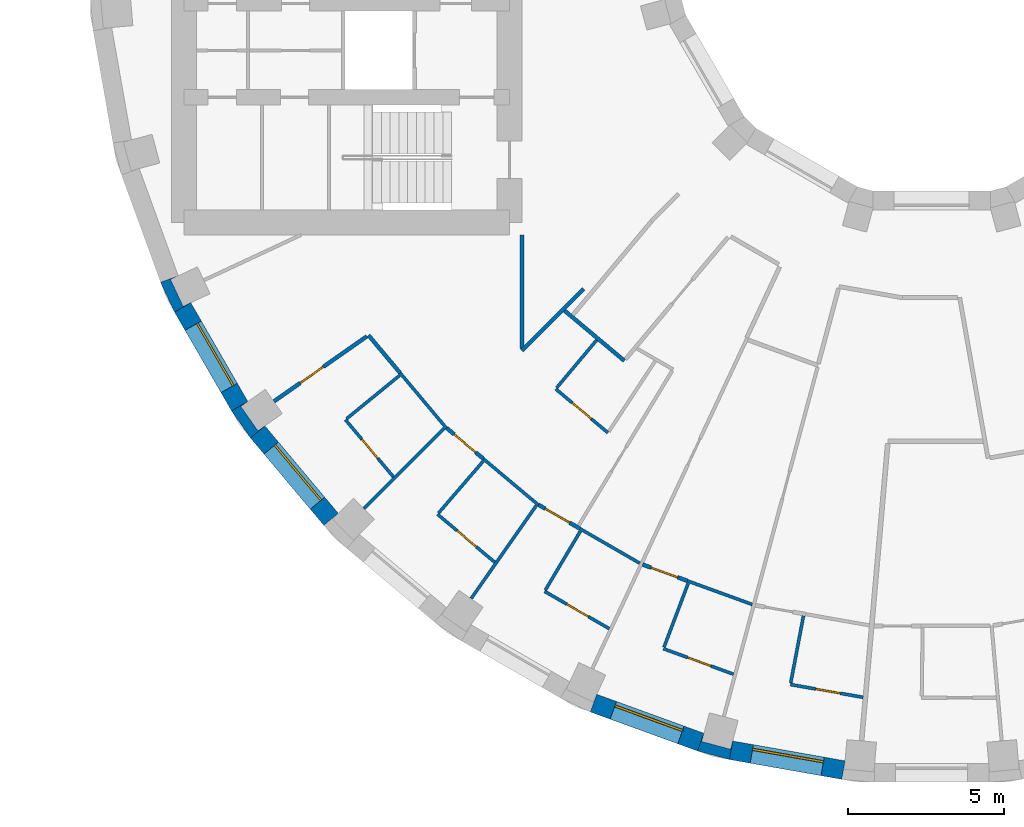
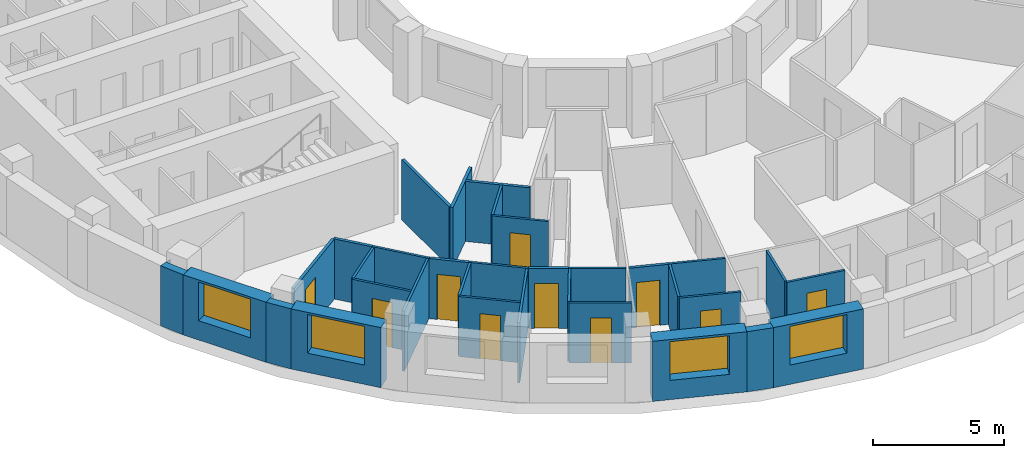
# One storey, part 4 of 14: 33 walls, 10 doors, 4 windows, 14 openings.
"""IFC4 building model written with IfcOpenShell, lengths in metres."""

from ifc_helpers import new_model, si_unit, direction, frame, frame_2d, origin, place, context, subcontext, project, spatial, polyline, rectangle, outline, extrude, material, layer, layer_set, type_object, element, fill, save


model = new_model("IFC4")

# Units and contexts
model_context = context("Model", 3, precision=1e-05, world=origin(), true_north=direction((0.0, 1.0)))
body_context = subcontext(model_context, "Body", "Model", "MODEL_VIEW")
ifc_project = project(units=[si_unit("LENGTHUNIT", "METRE"), si_unit("AREAUNIT", "SQUARE_METRE"), si_unit("VOLUMEUNIT", "CUBIC_METRE"), si_unit("PLANEANGLEUNIT", "RADIAN"), si_unit("MASSUNIT", "GRAM", prefix="KILO")], contexts=[model_context])

# Site, building, storey
site_placement = place(None, origin())
site = spatial("IfcSite", under=ifc_project, at=site_placement, CompositionType="ELEMENT")
building_placement = place(site_placement, origin())
building = spatial("IfcBuilding", under=site, at=building_placement, Name="Saqina Gate Tower", CompositionType="ELEMENT")
storey_placement = place(building_placement, frame((0.0, 0.0, 101.800048828125)))
storey = spatial("IfcBuildingStorey", under=building, at=storey_placement, Name="L28", CompositionType="ELEMENT", Elevation=101.800048828125)

# Walls
ifc_material_1 = material(Name="Brick masonry (buff)", Category="masonry")
wall_type_1 = type_object("IfcWallType", Name="BRICK PIER COPING BUFF", PredefinedType="SOLIDWALL", material=ifc_material_1)
wall_1_placement = place(storey_placement, origin())
element("IfcWall", 1, at=wall_1_placement, inside=storey, type_object=wall_type_1, Name="Pier cap L28 column 21", PredefinedType="SOLIDWALL", context=body_context, shape_type="SweptSolid", body=[
    extrude(outline(polyline([(-24.6513671875, -10.913330078125), (-24.205810546875, -11.869140625), (-23.68603515625, -11.569091796875), (-23.9296875, -11.6826171875), (-24.331298828125, -10.82177734375), (-24.08740234375, -10.7080078125), (-24.6513671875, -10.913330078125)])), origin(), (0.0, 0.0, 1.0), 2.800048828125),
])
wall_2_placement = place(storey_placement, origin())
element("IfcWall", 2, at=wall_2_placement, inside=storey, type_object=wall_type_1, Name="Pier cap L28 column 22", PredefinedType="SOLIDWALL", context=body_context, shape_type="SweptSolid", body=[
    extrude(outline(polyline([(-21.77685546875, -15.89208984375), (-21.317138671875, -15.50634765625), (-21.53759765625, -15.66064453125), (-22.08251953125, -14.88232421875), (-21.862060546875, -14.728271484375), (-22.3818359375, -15.0283203125), (-21.77685546875, -15.89208984375)])), origin(), (0.0, 0.0, 1.0), 2.800048828125),
])
wall_3_placement = place(storey_placement, origin())
element("IfcWall", 3, at=wall_3_placement, inside=storey, type_object=wall_type_1, Name="Pier cap L28 column 26", PredefinedType="SOLIDWALL", context=body_context, shape_type="SweptSolid", body=[
    extrude(outline(polyline([(-7.485595703125, -25.89892578125), (-6.466796875, -26.171875), (-6.36279296875, -25.5810546875), (-6.43212890625, -25.8408203125), (-7.349853515625, -25.5947265625), (-7.2802734375, -25.335205078125), (-7.485595703125, -25.89892578125)])), origin(), (0.0, 0.0, 1.0), 2.800048828125),
])

# Wall, opening, window
ifc_material_2 = material(Name="Brick masonry (buff)", Category="masonry")
ifc_layer_1 = layer(ifc_material_2, 0.60009765625)
ifc_layer_set_1 = layer_set([ifc_layer_1], Name="FW-BRICK-BUFF")
wall_type_2 = type_object("IfcWallType", Name="FW-BRICK-BUFF", PredefinedType="SOLIDWALL", material=ifc_layer_set_1)
wall_4_placement = place(storey_placement, frame((-23.94580078125, -11.718994140625, 0.0), z_axis=(0.0, 0.0, 1.0), x_axis=(0.499954196102, -0.866051847062, 0.0)))
wall_4 = element("IfcWall", 4, at=wall_4_placement, inside=storey, type_object=wall_type_2, Name="Facade wall L28 facet 21", PredefinedType="SOLIDWALL", context=body_context, shape_type="SweptSolid", body=[
    extrude(rectangle(XDim=3.647705078125, YDim=0.60009765625, at=frame_2d((1.82373046875, 0.0))), origin(), (0.0, 0.0, 1.0), 2.800048828125),
])
opening_1_placement = place(wall_4_placement, frame((0.673828125, 0.0, 0.89990234375)))
opening_1 = element("IfcOpeningElement", 5, at=opening_1_placement, cuts=wall_4, Name="Opening G08-W10", PredefinedType="OPENING", context=body_context, shape_type="SweptSolid", body=[
    extrude(rectangle(XDim=2.300048828125, YDim=1.800048828125, at=frame_2d((1.14990234375, 0.89990234375))), frame((0.0, 0.31201171875, 0.0), z_axis=(0.0, -1.0, 0.0), x_axis=(1.0, 0.0, 0.0)), (0.0, 0.0, 1.0), 0.6240234375),
])
ifc_material_3 = material(Name="Aluminium glazing", Category="aluminium")
window_type = type_object("IfcWindowType", Name="WN-B", PartitioningType="SINGLE_PANEL", PredefinedType="WINDOW", material=ifc_material_3)
window_1_placement = place(opening_1_placement, origin())
window_1 = element("IfcWindow", 6, at=window_1_placement, inside=storey, type_object=window_type, Name="Window L28 facet 21", OverallHeight=1.800048828125, OverallWidth=2.300048828125, PartitioningType="SINGLE_PANEL", PredefinedType="WINDOW", context=body_context, shape_type="SweptSolid", body=[
    extrude(rectangle(XDim=2.300048828125, YDim=1.800048828125, at=frame_2d((1.14990234375, 0.89990234375))), frame((0.0, 0.179931640625, 0.0), z_axis=(0.0, -1.0, 0.0), x_axis=(1.0, 0.0, 0.0)), (0.0, 0.0, 1.0), 0.06005859375),
])
fill(opening_1, window_1)

wall_5_placement = place(storey_placement, frame((-21.547119140625, -15.69921875, 0.0), z_axis=(0.0, 0.0, 1.0), x_axis=(0.642774476932, -0.766055462616, 0.0)))
wall_5 = element("IfcWall", 7, at=wall_5_placement, inside=storey, type_object=wall_type_2, Name="Facade wall L28 facet 22", PredefinedType="SOLIDWALL", context=body_context, shape_type="SweptSolid", body=[
    extrude(rectangle(XDim=3.647705078125, YDim=0.60009765625, at=frame_2d((1.82373046875, 0.0))), origin(), (0.0, 0.0, 1.0), 2.800048828125),
])
opening_2_placement = place(wall_5_placement, frame((0.673828125, 0.0, 0.89990234375)))
opening_2 = element("IfcOpeningElement", 8, at=opening_2_placement, cuts=wall_5, Name="Opening G08-W11", PredefinedType="OPENING", context=body_context, shape_type="SweptSolid", body=[
    extrude(rectangle(XDim=2.300048828125, YDim=1.800048828125, at=frame_2d((1.14990234375, 0.89990234375))), frame((0.0, 0.31201171875, 0.0), z_axis=(0.0, -1.0, 0.0), x_axis=(1.0, 0.0, 0.0)), (0.0, 0.0, 1.0), 0.6240234375),
])
window_2_placement = place(opening_2_placement, origin())
window_2 = element("IfcWindow", 9, at=window_2_placement, inside=storey, type_object=window_type, Name="Window L28 facet 22", OverallHeight=1.800048828125, OverallWidth=2.300048828125, PartitioningType="SINGLE_PANEL", PredefinedType="WINDOW", context=body_context, shape_type="SweptSolid", body=[
    extrude(rectangle(XDim=2.300048828125, YDim=1.800048828125, at=frame_2d((1.14990234375, 0.89990234375))), frame((0.0, 0.179931640625, 0.0), z_axis=(0.0, -1.0, 0.0), x_axis=(1.0, 0.0, 0.0)), (0.0, 0.0, 1.0), 0.06005859375),
])
fill(opening_2, window_2)

wall_6_placement = place(storey_placement, frame((-10.810791015625, -24.369384765625, 0.0), z_axis=(0.0, 0.0, 1.0), x_axis=(0.939703505393, -0.341990236633, 0.0)))
wall_6 = element("IfcWall", 10, at=wall_6_placement, inside=storey, type_object=wall_type_2, Name="Facade wall L28 facet 25", PredefinedType="SOLIDWALL", context=body_context, shape_type="SweptSolid", body=[
    extrude(rectangle(XDim=3.64794921875, YDim=0.60009765625, at=frame_2d((1.823974609375, 0.0))), origin(), (0.0, 0.0, 1.0), 2.800048828125),
])
opening_3_placement = place(wall_6_placement, frame((0.673828125, 0.0, 0.89990234375)))
opening_3 = element("IfcOpeningElement", 11, at=opening_3_placement, cuts=wall_6, Name="Opening G08-W14", PredefinedType="OPENING", context=body_context, shape_type="SweptSolid", body=[
    extrude(rectangle(XDim=2.300048828125, YDim=1.800048828125, at=frame_2d((1.14990234375, 0.89990234375))), frame((0.0, 0.31201171875, 0.0), z_axis=(0.0, -1.0, 0.0), x_axis=(1.0, 0.0, 0.0)), (0.0, 0.0, 1.0), 0.6240234375),
])
window_3_placement = place(opening_3_placement, origin())
window_3 = element("IfcWindow", 12, at=window_3_placement, inside=storey, type_object=window_type, Name="Window L28 facet 25", OverallHeight=1.800048828125, OverallWidth=2.300048828125, PartitioningType="SINGLE_PANEL", PredefinedType="WINDOW", context=body_context, shape_type="SweptSolid", body=[
    extrude(rectangle(XDim=2.300048828125, YDim=1.800048828125, at=frame_2d((1.14990234375, 0.89990234375))), frame((0.0, 0.179931640625, 0.0), z_axis=(0.0, -1.0, 0.0), x_axis=(1.0, 0.0, 0.0)), (0.0, 0.0, 1.0), 0.06005859375),
])
fill(opening_3, window_3)

wall_7_placement = place(storey_placement, frame((-6.414794921875, -25.87646484375, 0.0), z_axis=(0.0, 0.0, 1.0), x_axis=(0.984803764455, -0.173670796382, 0.0)))
wall_7 = element("IfcWall", 13, at=wall_7_placement, inside=storey, type_object=wall_type_2, Name="Facade wall L28 facet 26", PredefinedType="SOLIDWALL", context=body_context, shape_type="SweptSolid", body=[
    extrude(rectangle(XDim=3.64794921875, YDim=0.60009765625, at=frame_2d((1.823974609375, 0.0))), origin(), (0.0, 0.0, 1.0), 2.800048828125),
])
opening_4_placement = place(wall_7_placement, frame((0.673828125, 0.0, 0.89990234375)))
opening_4 = element("IfcOpeningElement", 14, at=opening_4_placement, cuts=wall_7, Name="Opening G08-W15", PredefinedType="OPENING", context=body_context, shape_type="SweptSolid", body=[
    extrude(rectangle(XDim=2.300048828125, YDim=1.800048828125, at=frame_2d((1.14990234375, 0.89990234375))), frame((0.0, 0.31201171875, 0.0), z_axis=(0.0, -1.0, 0.0), x_axis=(1.0, 0.0, 0.0)), (0.0, 0.0, 1.0), 0.6240234375),
])
window_4_placement = place(opening_4_placement, origin())
window_4 = element("IfcWindow", 15, at=window_4_placement, inside=storey, type_object=window_type, Name="Window L28 facet 26", OverallHeight=1.800048828125, OverallWidth=2.300048828125, PartitioningType="SINGLE_PANEL", PredefinedType="WINDOW", context=body_context, shape_type="SweptSolid", body=[
    extrude(rectangle(XDim=2.300048828125, YDim=1.800048828125, at=frame_2d((1.14990234375, 0.89990234375))), frame((0.0, 0.179931640625, 0.0), z_axis=(0.0, -1.0, 0.0), x_axis=(1.0, 0.0, 0.0)), (0.0, 0.0, 1.0), 0.06005859375),
])
fill(opening_4, window_4)

# Wall, opening, door
ifc_material_4 = material(Name="Gypsum board on steel studs, 100 mm", Category="steel")
ifc_layer_2 = layer(ifc_material_4, 0.10009765625)
ifc_layer_set_2 = layer_set([ifc_layer_2], Name="PARTITION 100")
wall_type_3 = type_object("IfcWallType", Name="PARTITION 100", PredefinedType="PARTITIONING", material=ifc_layer_set_2)
wall_8_placement = place(storey_placement, frame((-18.741943359375, -15.30908203125, 0.0), z_axis=(0.0, 0.0, 1.0), x_axis=(0.643057723818, -0.765817709274, 0.0)))
wall_8 = element("IfcWall", 16, at=wall_8_placement, inside=storey, type_object=wall_type_3, Name="PARTITION PW3-18", PredefinedType="PARTITIONING", context=body_context, shape_type="SweptSolid", body=[
    extrude(rectangle(XDim=2.386474609375, YDim=0.10009765625, at=frame_2d((1.193359375, 0.0))), origin(), (0.0, 0.0, 1.0), 2.800048828125),
])
opening_5_placement = place(wall_8_placement, frame((0.818359375, 0.0, 0.0)))
opening_5 = element("IfcOpeningElement", 17, at=opening_5_placement, cuts=wall_8, Name="Opening G08-D23", PredefinedType="OPENING", context=body_context, shape_type="SweptSolid", body=[
    extrude(rectangle(XDim=0.800048828125, YDim=2.10009765625, at=frame_2d((0.39990234375, 1.050048828125))), frame((0.0, 0.06201171875, 0.0), z_axis=(0.0, -1.0, 0.0), x_axis=(1.0, 0.0, 0.0)), (0.0, 0.0, 1.0), 0.1240234375),
])
ifc_material_5 = material(Name="Timber door leaf, 800 mm", Category="wood")
door_type_1 = type_object("IfcDoorType", Name="DOOR 800 TIMBER", OperationType="SINGLE_SWING_LEFT", PredefinedType="DOOR", material=ifc_material_5)
door_1_placement = place(opening_5_placement, frame((0.800048828125, 0.0, 0.0), z_axis=(0.0, 0.0, 1.0), x_axis=(-1.0, 0.0, 0.0)))
door_1 = element("IfcDoor", 18, at=door_1_placement, inside=storey, type_object=door_type_1, Name="DOOR G08-D23", OperationType="SINGLE_SWING_LEFT", OverallHeight=2.10009765625, OverallWidth=0.800048828125, PredefinedType="DOOR", context=body_context, shape_type="SweptSolid", body=[
    extrude(rectangle(XDim=0.800048828125, YDim=2.10009765625, at=frame_2d((0.39990234375, 1.050048828125))), frame((0.0, 0.02490234375, 0.0), z_axis=(0.0, -1.0, 0.0), x_axis=(1.0, 0.0, 0.0)), (0.0, 0.0, 1.0), 0.050048828125),
])
fill(opening_5, door_1)

# Wall
wall_9_placement = place(storey_placement, frame((-16.9921875, -13.815673828125, 0.0), z_axis=(0.0, 0.0, 1.0), x_axis=(0.64271045889, -0.766109173704, 0.0)))
element("IfcWall", 19, at=wall_9_placement, inside=storey, type_object=wall_type_3, Name="PARTITION PW3-19", PredefinedType="PARTITIONING", context=body_context, shape_type="SweptSolid", body=[
    extrude(rectangle(XDim=2.306884765625, YDim=0.10009765625, at=frame_2d((1.1533203125, 0.0))), origin(), (0.0, 0.0, 1.0), 2.800048828125),
])

# Wall, opening, door
wall_10_placement = place(storey_placement, frame((-15.798095703125, -18.3310546875, 0.0), z_axis=(0.0, 0.0, 1.0), x_axis=(0.766061519328, -0.642767258504, 0.0)))
wall_10 = element("IfcWall", 20, at=wall_10_placement, inside=storey, type_object=wall_type_3, Name="PARTITION PW3-23", PredefinedType="PARTITIONING", context=body_context, shape_type="SweptSolid", body=[
    extrude(rectangle(XDim=2.385986328125, YDim=0.10009765625, at=frame_2d((1.19287109375, 0.0))), origin(), (0.0, 0.0, 1.0), 2.800048828125),
])
opening_6_placement = place(wall_10_placement, frame((0.818115234375, 0.0, 0.0)))
opening_6 = element("IfcOpeningElement", 21, at=opening_6_placement, cuts=wall_10, Name="Opening G08-D25", PredefinedType="OPENING", context=body_context, shape_type="SweptSolid", body=[
    extrude(rectangle(XDim=0.800048828125, YDim=2.10009765625, at=frame_2d((0.39990234375, 1.050048828125))), frame((0.0, 0.06201171875, 0.0), z_axis=(0.0, -1.0, 0.0), x_axis=(1.0, 0.0, 0.0)), (0.0, 0.0, 1.0), 0.1240234375),
])
door_2_placement = place(opening_6_placement, frame((0.800048828125, 0.0, 0.0), z_axis=(0.0, 0.0, 1.0), x_axis=(-1.0, 0.0, 0.0)))
door_2 = element("IfcDoor", 22, at=door_2_placement, inside=storey, type_object=door_type_1, Name="DOOR G08-D25", OperationType="SINGLE_SWING_LEFT", OverallHeight=2.10009765625, OverallWidth=0.800048828125, PredefinedType="DOOR", context=body_context, shape_type="SweptSolid", body=[
    extrude(rectangle(XDim=0.800048828125, YDim=2.10009765625, at=frame_2d((0.39990234375, 1.050048828125))), frame((0.0, 0.02490234375, 0.0), z_axis=(0.0, -1.0, 0.0), x_axis=(1.0, 0.0, 0.0)), (0.0, 0.0, 1.0), 0.050048828125),
])
fill(opening_6, door_2)

# Wall
wall_11_placement = place(storey_placement, frame((-14.335205078125, -16.555908203125, 0.0), z_axis=(0.0, 0.0, 1.0), x_axis=(0.765890459519, -0.642971075568, 0.0)))
element("IfcWall", 23, at=wall_11_placement, inside=storey, type_object=wall_type_3, Name="PARTITION PW3-24", PredefinedType="PARTITIONING", context=body_context, shape_type="SweptSolid", body=[
    extrude(rectangle(XDim=2.305908203125, YDim=0.10009765625, at=frame_2d((1.15283203125, 0.0))), origin(), (0.0, 0.0, 1.0), 2.800048828125),
])

# Wall, opening, door
wall_12_placement = place(storey_placement, frame((-12.01806640625, -14.32666015625, 0.0), z_axis=(0.0, 0.0, 1.0), x_axis=(0.76605991383, -0.642769171961, 0.0)))
wall_12 = element("IfcWall", 24, at=wall_12_placement, inside=storey, type_object=wall_type_3, Name="PARTITION PW3-25", PredefinedType="PARTITIONING", context=body_context, shape_type="SweptSolid", body=[
    extrude(rectangle(XDim=2.18017578125, YDim=0.10009765625, at=frame_2d((1.090087890625, 0.0))), origin(), (0.0, 0.0, 1.0), 2.800048828125),
])
opening_7_placement = place(wall_12_placement, frame((0.689453125, 0.0, 0.0)))
opening_7 = element("IfcOpeningElement", 25, at=opening_7_placement, cuts=wall_12, Name="Opening G08-D26", PredefinedType="OPENING", context=body_context, shape_type="SweptSolid", body=[
    extrude(rectangle(XDim=0.800048828125, YDim=2.10009765625, at=frame_2d((0.39990234375, 1.050048828125))), frame((0.0, 0.06201171875, 0.0), z_axis=(0.0, -1.0, 0.0), x_axis=(1.0, 0.0, 0.0)), (0.0, 0.0, 1.0), 0.1240234375),
])
door_3_placement = place(opening_7_placement, frame((0.800048828125, 0.0, 0.0), z_axis=(0.0, 0.0, 1.0), x_axis=(-1.0, 0.0, 0.0)))
door_3 = element("IfcDoor", 26, at=door_3_placement, inside=storey, type_object=door_type_1, Name="DOOR G08-D26", OperationType="SINGLE_SWING_RIGHT", OverallHeight=2.10009765625, OverallWidth=0.800048828125, PredefinedType="DOOR", context=body_context, shape_type="SweptSolid", body=[
    extrude(rectangle(XDim=0.800048828125, YDim=2.10009765625, at=frame_2d((0.39990234375, 1.050048828125))), frame((0.0, 0.02490234375, 0.0), z_axis=(0.0, -1.0, 0.0), x_axis=(1.0, 0.0, 0.0)), (0.0, 0.0, 1.0), 0.050048828125),
])
fill(opening_7, door_3)

wall_13_placement = place(storey_placement, frame((-12.375, -20.7958984375, 0.0), z_axis=(0.0, 0.0, 1.0), x_axis=(0.866037365989, -0.499979280282, 0.0)))
wall_13 = element("IfcWall", 27, at=wall_13_placement, inside=storey, type_object=wall_type_3, Name="PARTITION PW3-28", PredefinedType="PARTITIONING", context=body_context, shape_type="SweptSolid", body=[
    extrude(rectangle(XDim=2.38623046875, YDim=0.10009765625, at=frame_2d((1.193115234375, 0.0))), origin(), (0.0, 0.0, 1.0), 2.800048828125),
])
opening_8_placement = place(wall_13_placement, frame((0.818115234375, 0.0, 0.0)))
opening_8 = element("IfcOpeningElement", 28, at=opening_8_placement, cuts=wall_13, Name="Opening G08-D30", PredefinedType="OPENING", context=body_context, shape_type="SweptSolid", body=[
    extrude(rectangle(XDim=0.800048828125, YDim=2.10009765625, at=frame_2d((0.39990234375, 1.050048828125))), frame((0.0, 0.06201171875, 0.0), z_axis=(0.0, -1.0, 0.0), x_axis=(1.0, 0.0, 0.0)), (0.0, 0.0, 1.0), 0.1240234375),
])
door_4_placement = place(opening_8_placement, frame((0.800048828125, 0.0, 0.0), z_axis=(0.0, 0.0, 1.0), x_axis=(-1.0, 0.0, 0.0)))
door_4 = element("IfcDoor", 29, at=door_4_placement, inside=storey, type_object=door_type_1, Name="DOOR G08-D30", OperationType="SINGLE_SWING_LEFT", OverallHeight=2.10009765625, OverallWidth=0.800048828125, PredefinedType="DOOR", context=body_context, shape_type="SweptSolid", body=[
    extrude(rectangle(XDim=0.800048828125, YDim=2.10009765625, at=frame_2d((0.39990234375, 1.050048828125))), frame((0.0, 0.02490234375, 0.0), z_axis=(0.0, -1.0, 0.0), x_axis=(1.0, 0.0, 0.0)), (0.0, 0.0, 1.0), 0.050048828125),
])
fill(opening_8, door_4)

# Wall
wall_14_placement = place(storey_placement, frame((-11.2421875, -18.7939453125, 0.0), z_axis=(0.0, 0.0, 1.0), x_axis=(0.866039875853, -0.499974932805, 0.0)))
element("IfcWall", 30, at=wall_14_placement, inside=storey, type_object=wall_type_3, Name="PARTITION PW3-29", PredefinedType="PARTITIONING", context=body_context, shape_type="SweptSolid", body=[
    extrude(rectangle(XDim=2.2041015625, YDim=0.10009765625, at=frame_2d((1.10205078125, 0.0))), origin(), (0.0, 0.0, 1.0), 2.800048828125),
])

# Wall, opening, door
wall_15_placement = place(storey_placement, frame((-8.575927734375, -22.62890625, 0.0), z_axis=(0.0, 0.0, 1.0), x_axis=(0.939703758344, -0.341989541586, 0.0)))
wall_15 = element("IfcWall", 31, at=wall_15_placement, inside=storey, type_object=wall_type_3, Name="PARTITION PW3-33", PredefinedType="PARTITIONING", context=body_context, shape_type="SweptSolid", body=[
    extrude(rectangle(XDim=2.3857421875, YDim=0.10009765625, at=frame_2d((1.19287109375, 0.0))), origin(), (0.0, 0.0, 1.0), 2.800048828125),
])
opening_9_placement = place(wall_15_placement, frame((0.81787109375, 0.0, 0.0)))
opening_9 = element("IfcOpeningElement", 32, at=opening_9_placement, cuts=wall_15, Name="Opening G08-D33", PredefinedType="OPENING", context=body_context, shape_type="SweptSolid", body=[
    extrude(rectangle(XDim=0.800048828125, YDim=2.10009765625, at=frame_2d((0.39990234375, 1.050048828125))), frame((0.0, 0.06201171875, 0.0), z_axis=(0.0, -1.0, 0.0), x_axis=(1.0, 0.0, 0.0)), (0.0, 0.0, 1.0), 0.1240234375),
])
door_5_placement = place(opening_9_placement, frame((0.800048828125, 0.0, 0.0), z_axis=(0.0, 0.0, 1.0), x_axis=(-1.0, 0.0, 0.0)))
door_5 = element("IfcDoor", 33, at=door_5_placement, inside=storey, type_object=door_type_1, Name="DOOR G08-D33", OperationType="SINGLE_SWING_LEFT", OverallHeight=2.10009765625, OverallWidth=0.800048828125, PredefinedType="DOOR", context=body_context, shape_type="SweptSolid", body=[
    extrude(rectangle(XDim=0.800048828125, YDim=2.10009765625, at=frame_2d((0.39990234375, 1.050048828125))), frame((0.0, 0.02490234375, 0.0), z_axis=(0.0, -1.0, 0.0), x_axis=(1.0, 0.0, 0.0)), (0.0, 0.0, 1.0), 0.050048828125),
])
fill(opening_9, door_5)

# Wall
wall_16_placement = place(storey_placement, frame((-7.80810546875, -20.4609375, 0.0), z_axis=(0.0, 0.0, 1.0), x_axis=(0.939728749343, -0.341920864613, 0.0)))
element("IfcWall", 34, at=wall_16_placement, inside=storey, type_object=wall_type_3, Name="PARTITION PW3-34", PredefinedType="PARTITIONING", context=body_context, shape_type="SweptSolid", body=[
    extrude(rectangle(XDim=2.204833984375, YDim=0.10009765625, at=frame_2d((1.1025390625, 0.0))), origin(), (0.0, 0.0, 1.0), 2.800048828125),
])

# Wall, opening, door
wall_17_placement = place(storey_placement, frame((-4.51611328125, -23.77392578125, 0.0), z_axis=(0.0, 0.0, 1.0), x_axis=(0.984810614942, -0.173631946077, 0.0)))
wall_17 = element("IfcWall", 35, at=wall_17_placement, inside=storey, type_object=wall_type_3, Name="PARTITION PW3-37", PredefinedType="PARTITIONING", context=body_context, shape_type="SweptSolid", body=[
    extrude(rectangle(XDim=2.36083984375, YDim=0.10009765625, at=frame_2d((1.180419921875, 0.0))), origin(), (0.0, 0.0, 1.0), 2.800048828125),
])
opening_10_placement = place(wall_17_placement, frame((0.818115234375, 0.0, 0.0)))
opening_10 = element("IfcOpeningElement", 36, at=opening_10_placement, cuts=wall_17, Name="Opening G08-D36", PredefinedType="OPENING", context=body_context, shape_type="SweptSolid", body=[
    extrude(rectangle(XDim=0.800048828125, YDim=2.10009765625, at=frame_2d((0.39990234375, 1.050048828125))), frame((0.0, 0.06201171875, 0.0), z_axis=(0.0, -1.0, 0.0), x_axis=(1.0, 0.0, 0.0)), (0.0, 0.0, 1.0), 0.1240234375),
])
door_6_placement = place(opening_10_placement, frame((0.800048828125, 0.0, 0.0), z_axis=(0.0, 0.0, 1.0), x_axis=(-1.0, 0.0, 0.0)))
door_6 = element("IfcDoor", 37, at=door_6_placement, inside=storey, type_object=door_type_1, Name="DOOR G08-D36", OperationType="SINGLE_SWING_LEFT", OverallHeight=2.10009765625, OverallWidth=0.800048828125, PredefinedType="DOOR", context=body_context, shape_type="SweptSolid", body=[
    extrude(rectangle(XDim=0.800048828125, YDim=2.10009765625, at=frame_2d((0.39990234375, 1.050048828125))), frame((0.0, 0.02490234375, 0.0), z_axis=(0.0, -1.0, 0.0), x_axis=(1.0, 0.0, 0.0)), (0.0, 0.0, 1.0), 0.050048828125),
])
fill(opening_10, door_6)

# Walls
wall_18_placement = place(storey_placement, frame((-18.703369140625, -15.27734375, 0.0), z_axis=(0.0, 0.0, 1.0), x_axis=(0.774603188675, 0.632447547307, 0.0)))
element("IfcWall", 38, at=wall_18_placement, inside=storey, type_object=wall_type_3, Name="PARTITION PW3-68", PredefinedType="PARTITIONING", context=body_context, shape_type="SweptSolid", body=[
    extrude(rectangle(XDim=2.18798828125, YDim=0.10009765625, at=frame_2d((1.093994140625, 0.0))), origin(), (0.0, 0.0, 1.0), 2.800048828125),
])
wall_19_placement = place(storey_placement, frame((-18.14794921875, -18.14794921875, 0.0), z_axis=(0.0, 0.0, 1.0), x_axis=(0.707106781187, 0.707106781187, 0.0)))
element("IfcWall", 39, at=wall_19_placement, inside=storey, type_object=wall_type_3, Name="PARTITION PW3-71", PredefinedType="PARTITIONING", context=body_context, shape_type="SweptSolid", body=[
    extrude(rectangle(XDim=3.62158203125, YDim=0.10009765625, at=frame_2d((1.810791015625, 0.0))), origin(), (0.0, 0.0, 1.0), 2.800048828125),
])
wall_20_placement = place(storey_placement, frame((-15.765380859375, -18.293212890625, 0.0), z_axis=(0.0, 0.0, 1.0), x_axis=(0.652471516294, 0.757813249043, 0.0)))
element("IfcWall", 40, at=wall_20_placement, inside=storey, type_object=wall_type_3, Name="PARTITION PW3-73", PredefinedType="PARTITIONING", context=body_context, shape_type="SweptSolid", body=[
    extrude(rectangle(XDim=2.187744140625, YDim=0.10009765625, at=frame_2d((1.09375, 0.0))), origin(), (0.0, 0.0, 1.0), 2.800048828125),
])
wall_21_placement = place(storey_placement, frame((-11.98779296875, -14.28662109375, 0.0), z_axis=(0.0, 0.0, 1.0), x_axis=(0.642742530466, 0.766082266816, 0.0)))
element("IfcWall", 41, at=wall_21_placement, inside=storey, type_object=wall_type_3, Name="PARTITION PW3-75", PredefinedType="PARTITIONING", context=body_context, shape_type="SweptSolid", body=[
    extrude(rectangle(XDim=1.9873046875, YDim=0.10009765625, at=frame_2d((0.99365234375, 0.0))), origin(), (0.0, 0.0, 1.0), 2.800048828125),
])
wall_22_placement = place(storey_placement, frame((-14.720703125, -21.023681640625, 0.0), z_axis=(0.0, 0.0, 1.0), x_axis=(0.573521163573, 0.819190743926, 0.0)))
element("IfcWall", 42, at=wall_22_placement, inside=storey, type_object=wall_type_3, Name="PARTITION PW3-77", PredefinedType="PARTITIONING", context=body_context, shape_type="SweptSolid", body=[
    extrude(rectangle(XDim=3.621337890625, YDim=0.10009765625, at=frame_2d((1.810546875, 0.0))), origin(), (0.0, 0.0, 1.0), 2.800048828125),
])
for number, where, z_axis, x_axis, name in (
    (43, (-12.349365234375, -20.7529296875, 0.0), (0.0, 0.0, 1.0), (0.511242513148, 0.859436497218, 0.0), "PARTITION PW3-81"),
    (44, (-8.558349609375, -22.582275390625, 0.0), (0.0, 0.0, 1.0), (0.35430099241, 0.935131438236, 0.0), "PARTITION PW3-86"),
    (45, (-4.506591796875, -23.724853515625, 0.0), (0.0, 0.0, 1.0), (0.186471082638, 0.982460449759, 0.0), "PARTITION PW3-90"),
):
    element("IfcWall", number, at=place(storey_placement, frame(where, z_axis=z_axis, x_axis=x_axis)), inside=storey, type_object=wall_type_3, Name=name, PredefinedType="PARTITIONING", context=body_context, shape_type="SweptSolid", body=[
        extrude(rectangle(XDim=2.187744140625, YDim=0.10009765625, at=frame_2d((1.09375, 0.0))), origin(), (0.0, 0.0, 1.0), 2.800048828125),
    ])
ifc_material_6 = material(Name="Gypsum board on steel studs, 125 mm, fire rated", Category="steel")
ifc_layer_3 = layer(ifc_material_6, 0.125)
ifc_layer_set_3 = layer_set([ifc_layer_3], Name="PARTITION EI 30 125")
wall_type_4 = type_object("IfcWallType", Name="PARTITION EI 30 125", PredefinedType="PARTITIONING", material=ifc_layer_set_3)
wall_23_placement = place(storey_placement, frame((-18.00439453125, -12.610107421875, 0.0), z_axis=(0.0, 0.0, 1.0), x_axis=(0.643017480444, -0.765851499863, 0.0)))
element("IfcWall", 46, at=wall_23_placement, inside=storey, type_object=wall_type_4, Name="PARTITION PW1-05", PredefinedType="PARTITIONING", context=body_context, shape_type="SweptSolid", body=[
    extrude(rectangle(XDim=1.57421875, YDim=0.125, at=frame_2d((0.787109375, 0.0))), origin(), (0.0, 0.0, 1.0), 2.800048828125),
])

# Wall, opening, door
wall_24_placement = place(storey_placement, frame((-15.503662109375, -15.575927734375, 0.0), z_axis=(0.0, 0.0, 1.0), x_axis=(0.766196628468, -0.642606198635, 0.0)))
wall_24 = element("IfcWall", 47, at=wall_24_placement, inside=storey, type_object=wall_type_4, Name="PARTITION PW1-12", PredefinedType="PARTITIONING", context=body_context, shape_type="SweptSolid", body=[
    extrude(rectangle(XDim=1.52490234375, YDim=0.125, at=frame_2d((0.762451171875, 0.0))), origin(), (0.0, 0.0, 1.0), 2.800048828125),
])
opening_11_placement = place(wall_24_placement, frame((0.3125, 0.0, 0.0)))
opening_11 = element("IfcOpeningElement", 48, at=opening_11_placement, cuts=wall_24, Name="Opening G08-D24", PredefinedType="OPENING", context=body_context, shape_type="SweptSolid", body=[
    extrude(rectangle(XDim=0.89990234375, YDim=2.10009765625, at=frame_2d((0.449951171875, 1.050048828125))), frame((0.0, 0.074462890625, 0.0), z_axis=(0.0, -1.0, 0.0), x_axis=(1.0, 0.0, 0.0)), (0.0, 0.0, 1.0), 0.14892578125),
])
ifc_material_7 = material(Name="Fire door leaf EI 30, 900 mm")
door_type_2 = type_object("IfcDoorType", Name="DOOR 900 EI 30", OperationType="SINGLE_SWING_LEFT", PredefinedType="DOOR", material=ifc_material_7)
door_7_placement = place(opening_11_placement, origin())
door_7 = element("IfcDoor", 49, at=door_7_placement, inside=storey, type_object=door_type_2, Name="DOOR G08-D24", OperationType="SINGLE_SWING_LEFT", OverallHeight=2.10009765625, OverallWidth=0.89990234375, PredefinedType="DOOR", context=body_context, shape_type="SweptSolid", body=[
    extrude(rectangle(XDim=0.89990234375, YDim=2.10009765625, at=frame_2d((0.449951171875, 1.050048828125))), frame((0.0, 0.02490234375, 0.0), z_axis=(0.0, -1.0, 0.0), x_axis=(1.0, 0.0, 0.0)), (0.0, 0.0, 1.0), 0.050048828125),
])
fill(opening_11, door_7)

# Wall
wall_25_placement = place(storey_placement, frame((-11.734619140625, -11.822998046875, 0.0), z_axis=(0.0, 0.0, 1.0), x_axis=(0.766013925241, -0.642823977724, 0.0)))
element("IfcWall", 50, at=wall_25_placement, inside=storey, type_object=wall_type_4, Name="PARTITION PW1-13", PredefinedType="PARTITIONING", context=body_context, shape_type="SweptSolid", body=[
    extrude(rectangle(XDim=2.4892578125, YDim=0.125, at=frame_2d((1.24462890625, 0.0))), origin(), (0.0, 0.0, 1.0), 2.800048828125),
])

# Wall, opening, door
wall_26_placement = place(storey_placement, frame((-12.564697265625, -18.031005859375, 0.0), z_axis=(0.0, 0.0, 1.0), x_axis=(0.866198896269, -0.499699381732, 0.0)))
wall_26 = element("IfcWall", 51, at=wall_26_placement, inside=storey, type_object=wall_type_4, Name="PARTITION PW1-15", PredefinedType="PARTITIONING", context=body_context, shape_type="SweptSolid", body=[
    extrude(rectangle(XDim=1.52685546875, YDim=0.125, at=frame_2d((0.763427734375, 0.0))), origin(), (0.0, 0.0, 1.0), 2.800048828125),
])
opening_12_placement = place(wall_26_placement, frame((0.243408203125, 0.0, 0.0)))
opening_12 = element("IfcOpeningElement", 52, at=opening_12_placement, cuts=wall_26, Name="Opening G08-D28", PredefinedType="OPENING", context=body_context, shape_type="SweptSolid", body=[
    extrude(rectangle(XDim=0.89990234375, YDim=2.10009765625, at=frame_2d((0.449951171875, 1.050048828125))), frame((0.0, 0.074462890625, 0.0), z_axis=(0.0, -1.0, 0.0), x_axis=(1.0, 0.0, 0.0)), (0.0, 0.0, 1.0), 0.14892578125),
])
door_8_placement = place(opening_12_placement, origin())
door_8 = element("IfcDoor", 53, at=door_8_placement, inside=storey, type_object=door_type_2, Name="DOOR G08-D28", OperationType="SINGLE_SWING_RIGHT", OverallHeight=2.10009765625, OverallWidth=0.89990234375, PredefinedType="DOOR", context=body_context, shape_type="SweptSolid", body=[
    extrude(rectangle(XDim=0.89990234375, YDim=2.10009765625, at=frame_2d((0.449951171875, 1.050048828125))), frame((0.0, 0.02490234375, 0.0), z_axis=(0.0, -1.0, 0.0), x_axis=(1.0, 0.0, 0.0)), (0.0, 0.0, 1.0), 0.050048828125),
])
fill(opening_12, door_8)

wall_27_placement = place(storey_placement, frame((-9.242919921875, -19.938232421875, 0.0), z_axis=(0.0, 0.0, 1.0), x_axis=(0.939611268692, -0.342243573711, 0.0)))
wall_27 = element("IfcWall", 54, at=wall_27_placement, inside=storey, type_object=wall_type_4, Name="PARTITION PW1-18", PredefinedType="PARTITIONING", context=body_context, shape_type="SweptSolid", body=[
    extrude(rectangle(XDim=1.52734375, YDim=0.125, at=frame_2d((0.763671875, 0.0))), origin(), (0.0, 0.0, 1.0), 2.800048828125),
])
opening_13_placement = place(wall_27_placement, frame((0.29443359375, 0.0, 0.0)))
opening_13 = element("IfcOpeningElement", 55, at=opening_13_placement, cuts=wall_27, Name="Opening G08-D32", PredefinedType="OPENING", context=body_context, shape_type="SweptSolid", body=[
    extrude(rectangle(XDim=0.89990234375, YDim=2.10009765625, at=frame_2d((0.449951171875, 1.050048828125))), frame((0.0, 0.074462890625, 0.0), z_axis=(0.0, -1.0, 0.0), x_axis=(1.0, 0.0, 0.0)), (0.0, 0.0, 1.0), 0.14892578125),
])
door_9_placement = place(opening_13_placement, origin())
door_9 = element("IfcDoor", 56, at=door_9_placement, inside=storey, type_object=door_type_2, Name="DOOR G08-D32", OperationType="SINGLE_SWING_LEFT", OverallHeight=2.10009765625, OverallWidth=0.89990234375, PredefinedType="DOOR", context=body_context, shape_type="SweptSolid", body=[
    extrude(rectangle(XDim=0.89990234375, YDim=2.10009765625, at=frame_2d((0.449951171875, 1.050048828125))), frame((0.0, 0.02490234375, 0.0), z_axis=(0.0, -1.0, 0.0), x_axis=(1.0, 0.0, 0.0)), (0.0, 0.0, 1.0), 0.050048828125),
])
fill(opening_13, door_9)

wall_28_placement = place(storey_placement, frame((-21.023681640625, -14.720703125, 0.0), z_axis=(0.0, 0.0, 1.0), x_axis=(0.819168566666, 0.573552839228, 0.0)))
wall_28 = element("IfcWall", 57, at=wall_28_placement, inside=storey, type_object=wall_type_4, Name="PARTITION PW1-42", PredefinedType="PARTITIONING", context=body_context, shape_type="SweptSolid", body=[
    extrude(rectangle(XDim=3.62109375, YDim=0.125, at=frame_2d((1.810546875, 0.0))), origin(), (0.0, 0.0, 1.0), 2.800048828125),
])
opening_14_placement = place(wall_28_placement, frame((1.024658203125, 0.0, 0.0)))
opening_14 = element("IfcOpeningElement", 58, at=opening_14_placement, cuts=wall_28, Name="Opening G08-D22", PredefinedType="OPENING", context=body_context, shape_type="SweptSolid", body=[
    extrude(rectangle(XDim=0.89990234375, YDim=2.10009765625, at=frame_2d((0.449951171875, 1.050048828125))), frame((0.0, 0.074462890625, 0.0), z_axis=(0.0, -1.0, 0.0), x_axis=(1.0, 0.0, 0.0)), (0.0, 0.0, 1.0), 0.14892578125),
])
door_10_placement = place(opening_14_placement, origin())
door_10 = element("IfcDoor", 59, at=door_10_placement, inside=storey, type_object=door_type_2, Name="DOOR G08-D22", OperationType="SINGLE_SWING_LEFT", OverallHeight=2.10009765625, OverallWidth=0.89990234375, PredefinedType="DOOR", context=body_context, shape_type="SweptSolid", body=[
    extrude(rectangle(XDim=0.89990234375, YDim=2.10009765625, at=frame_2d((0.449951171875, 1.050048828125))), frame((0.0, 0.02490234375, 0.0), z_axis=(0.0, -1.0, 0.0), x_axis=(1.0, 0.0, 0.0)), (0.0, 0.0, 1.0), 0.050048828125),
])
fill(opening_14, door_10)

# Walls
wall_29_placement = place(storey_placement, frame((-13.097412109375, -13.096435546875, 0.0), z_axis=(0.0, 0.0, 1.0), x_axis=(0.707369988597, 0.706843475766, 0.0)))
element("IfcWall", 60, at=wall_29_placement, inside=storey, type_object=wall_type_4, Name="PARTITION PW1-45", PredefinedType="PARTITIONING", context=body_context, shape_type="SweptSolid", body=[
    extrude(rectangle(XDim=2.7822265625, YDim=0.125, at=frame_2d((1.39111328125, 0.0))), origin(), (0.0, 0.0, 1.0), 2.800048828125),
])
wall_30_placement = place(storey_placement, frame((-13.10009765625, -13.032470703125, 0.0), z_axis=(0.0, 0.0, 1.0), x_axis=(0.0, 1.0, 0.0)))
element("IfcWall", 61, at=wall_30_placement, inside=storey, type_object=wall_type_4, Name="PARTITION PW1-59", PredefinedType="PARTITIONING", context=body_context, shape_type="SweptSolid", body=[
    extrude(rectangle(XDim=3.631591796875, YDim=0.125, at=frame_2d((1.81591796875, 0.0))), origin(), (0.0, 0.0, 1.0), 2.800048828125),
])

save(model, "model.ifc")
